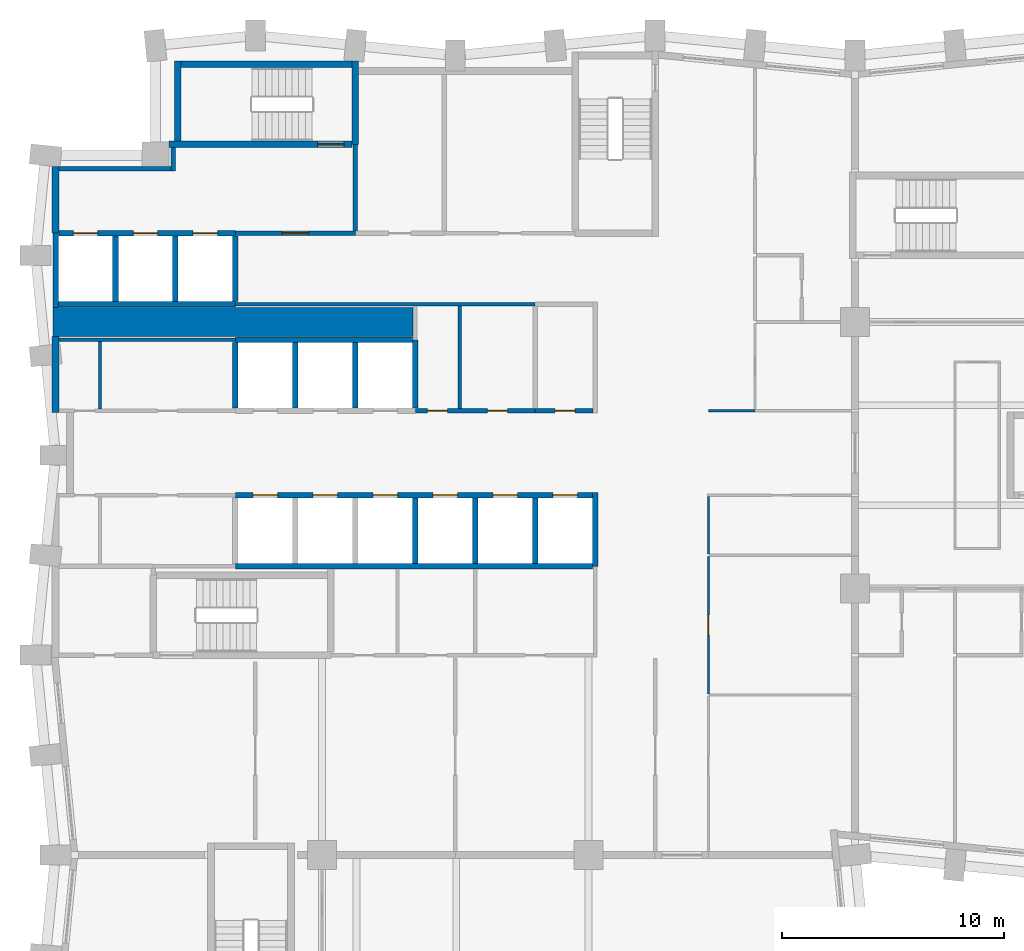
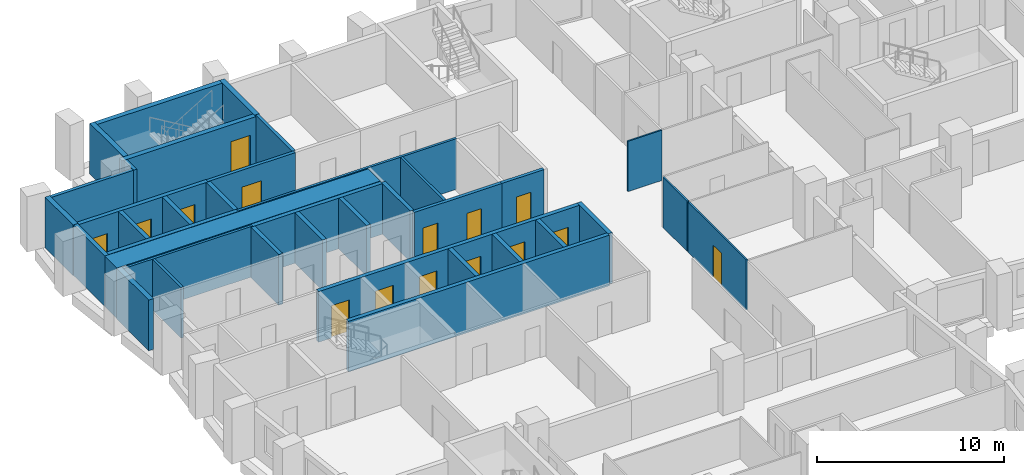
# One storey, part 6 of 12: 37 walls, 15 doors, 15 openings.
"""IFC4 building model written with IfcOpenShell, lengths in metres."""

from ifc_helpers import new_model, si_unit, direction, frame, frame_2d, origin, place, context, subcontext, project, spatial, rectangle, extrude, material, layer, layer_set, type_object, element, fill, save


model = new_model("IFC4")

# Units and contexts
model_context = context("Model", 3, precision=1e-05, world=origin(), true_north=direction((0.0, 1.0)))
body_context = subcontext(model_context, "Body", "Model", "MODEL_VIEW")
ifc_project = project(units=[si_unit("LENGTHUNIT", "METRE"), si_unit("AREAUNIT", "SQUARE_METRE"), si_unit("VOLUMEUNIT", "CUBIC_METRE"), si_unit("PLANEANGLEUNIT", "RADIAN"), si_unit("MASSUNIT", "GRAM", prefix="KILO")], contexts=[model_context])

# Site, building, storey
site_placement = place(None, origin())
site = spatial("IfcSite", under=ifc_project, at=site_placement, CompositionType="ELEMENT")
building_placement = place(site_placement, origin())
building = spatial("IfcBuilding", under=site, at=building_placement, Name="Brondeck Convention Tower", CompositionType="ELEMENT")
storey_placement = place(building_placement, frame((0.0, 0.0, 55.5)))
storey = spatial("IfcBuildingStorey", under=building, at=storey_placement, Name="L11", CompositionType="ELEMENT", Elevation=55.5)

# Walls
ifc_material_1 = material(Name="Concrete C80/95", Category="concrete")
ifc_layer_1 = layer(ifc_material_1, 0.300048828125)
ifc_layer_set_1 = layer_set([ifc_layer_1], Name="Core outer wall 300 Concrete C80/95")
wall_type_1 = type_object("IfcWallType", Name="Core outer wall 300 Concrete C80/95", PredefinedType="SHEAR", material=ifc_layer_set_1)
wall_1_placement = place(storey_placement, frame((0.0, 46.925048828125, 0.0), z_axis=(0.0, 0.0, 1.0), x_axis=(0.0, 1.0, 0.0)))
element("IfcWall", 1, at=wall_1_placement, inside=storey, type_object=wall_type_1, Name="L11 core wall", PredefinedType="SHEAR", context=body_context, shape_type="SweptSolid", body=[
    extrude(rectangle(XDim=3.425048828125, YDim=0.300048828125, at=frame_2d((1.71240234375, 0.0))), origin(), (0.0, 0.0, 1.0), 3.300048828125),
])
wall_2_placement = place(storey_placement, frame((0.0, 55.0, 0.0), z_axis=(0.0, 0.0, 1.0), x_axis=(0.0, 1.0, 0.0)))
element("IfcWall", 2, at=wall_2_placement, inside=storey, type_object=wall_type_1, Name="L11 core wall", PredefinedType="SHEAR", context=body_context, shape_type="SweptSolid", body=[
    extrude(rectangle(XDim=3.0, YDim=0.300048828125, at=frame_2d((1.5, 0.0))), origin(), (0.0, 0.0, 1.0), 3.300048828125),
])
ifc_material_2 = material(Name="Fire-rated gypsum board partition")
ifc_layer_2 = layer(ifc_material_2, 0.14990234375)
ifc_layer_set_2 = layer_set([ifc_layer_2], Name="Core partition 150 EI 60")
wall_type_2 = type_object("IfcWallType", Name="Core partition 150 EI 60", PredefinedType="PARTITIONING", material=ifc_layer_set_2)
wall_3_placement = place(storey_placement, frame((0.14990234375, 50.199951171875, 0.0), z_axis=(0.0, 0.0, 1.0), x_axis=(1.0, 0.0, 0.0)))
element("IfcWall", 3, at=wall_3_placement, inside=storey, type_object=wall_type_2, Name="L11 core wall", PredefinedType="PARTITIONING", context=body_context, shape_type="SweptSolid", body=[
    extrude(rectangle(XDim=7.9501953125, YDim=0.14990234375, at=frame_2d((3.97509765625, 0.0))), origin(), (0.0, 0.0, 1.0), 3.300048828125),
])
wall_4_placement = place(storey_placement, frame((8.10009765625, 51.800048828125, 0.0), z_axis=(0.0, 0.0, 1.0), x_axis=(1.0, 0.0, 0.0)))
element("IfcWall", 4, at=wall_4_placement, inside=storey, type_object=wall_type_2, Name="L11 core wall", PredefinedType="PARTITIONING", context=body_context, shape_type="SweptSolid", body=[
    extrude(rectangle(XDim=13.5, YDim=0.14990234375, at=frame_2d((6.75, 0.0))), origin(), (0.0, 0.0, 1.0), 3.300048828125),
])
wall_5_placement = place(storey_placement, frame((2.0, 47.074951171875, 0.0), z_axis=(0.0, 0.0, 1.0), x_axis=(0.0, 1.0, 0.0)))
element("IfcWall", 5, at=wall_5_placement, inside=storey, type_object=wall_type_2, Name="L11 core wall", PredefinedType="PARTITIONING", context=body_context, shape_type="SweptSolid", body=[
    extrude(rectangle(XDim=3.050048828125, YDim=0.14990234375, at=frame_2d((1.52490234375, 0.0))), origin(), (0.0, 0.0, 1.0), 3.300048828125),
])
wall_6_placement = place(storey_placement, frame((18.199951171875, 47.10009765625, 0.0), z_axis=(0.0, 0.0, 1.0), x_axis=(0.0, 1.0, 0.0)))
element("IfcWall", 6, at=wall_6_placement, inside=storey, type_object=wall_type_2, Name="L11 core wall", PredefinedType="PARTITIONING", context=body_context, shape_type="SweptSolid", body=[
    extrude(rectangle(XDim=4.625, YDim=0.14990234375, at=frame_2d((2.3125, 0.0))), origin(), (0.0, 0.0, 1.0), 3.300048828125),
])
ifc_layer_3 = layer(ifc_material_1, 1.300048828125)
ifc_layer_set_3 = layer_set([ifc_layer_3], Name="Core shear wall 1300 Concrete C80/95")
wall_type_3 = type_object("IfcWallType", Name="Core shear wall 1300 Concrete C80/95", PredefinedType="SHEAR", material=ifc_layer_set_3)
wall_7_placement = place(storey_placement, frame((-0.125, 51.0, 0.0), z_axis=(0.0, 0.0, 1.0), x_axis=(1.0, 0.0, 0.0)))
element("IfcWall", 7, at=wall_7_placement, inside=storey, type_object=wall_type_3, Name="L11 core wall", PredefinedType="SHEAR", context=body_context, shape_type="SweptSolid", body=[
    extrude(rectangle(XDim=16.22509765625, YDim=1.300048828125, at=frame_2d((8.112548828125, 0.0))), origin(), (0.0, 0.0, 1.0), 3.300048828125),
])

# Wall, opening, door
ifc_layer_4 = layer(ifc_material_2, 0.199951171875)
ifc_layer_set_4 = layer_set([ifc_layer_4], Name="Firefighting lobby wall 200 EI 120")
wall_type_4 = type_object("IfcWallType", Name="Firefighting lobby wall 200 EI 120", PredefinedType="PARTITIONING", material=ifc_layer_set_4)
wall_8_placement = place(storey_placement, frame((8.10009765625, 55.0, 0.0), z_axis=(0.0, 0.0, 1.0), x_axis=(1.0, 0.0, 0.0)))
wall_8 = element("IfcWall", 8, at=wall_8_placement, inside=storey, type_object=wall_type_4, Name="L11 core wall", PredefinedType="PARTITIONING", context=body_context, shape_type="SweptSolid", body=[
    extrude(rectangle(XDim=5.39990234375, YDim=0.199951171875, at=frame_2d((2.699951171875, 0.0))), origin(), (0.0, 0.0, 1.0), 3.300048828125),
])
opening_1_placement = place(wall_8_placement, frame((2.10009765625, 0.0, 0.0)))
opening_1 = element("IfcOpeningElement", 9, at=opening_1_placement, cuts=wall_8, Name="Opening C09-01", PredefinedType="OPENING", context=body_context, shape_type="SweptSolid", body=[
    extrude(rectangle(XDim=1.199951171875, YDim=2.199951171875, at=frame_2d((0.60009765625, 1.10009765625))), frame((0.0, 0.10986328125, 0.0), z_axis=(0.0, -1.0, 0.0), x_axis=(1.0, 0.0, 0.0)), (0.0, 0.0, 1.0), 0.219970703125),
])
ifc_material_3 = material(Name="Steel fire door", Category="steel")
door_type_1 = type_object("IfcDoorType", Name="Firefighting lobby door 1200x2200 EI 120", OperationType="NOTDEFINED", PredefinedType="DOOR", material=ifc_material_3)
door_1_placement = place(opening_1_placement, origin())
door_1 = element("IfcDoor", 10, at=door_1_placement, inside=storey, type_object=door_type_1, Name="L11 Firefighting lobby door FFL-1", OperationType="SINGLE_SWING_RIGHT", OverallHeight=2.199951171875, OverallWidth=1.199951171875, PredefinedType="DOOR", context=body_context, shape_type="SweptSolid", body=[
    extrude(rectangle(XDim=1.199951171875, YDim=2.199951171875, at=frame_2d((0.60009765625, 1.10009765625))), frame((0.0, 0.02490234375, 0.0), z_axis=(0.0, -1.0, 0.0), x_axis=(1.0, 0.0, 0.0)), (0.0, 0.0, 1.0), 0.050048828125),
])
fill(opening_1, door_1)

# Walls
wall_9_placement = place(storey_placement, frame((0.14990234375, 57.89990234375, 0.0), z_axis=(0.0, 0.0, 1.0), x_axis=(1.0, 0.0, 0.0)))
element("IfcWall", 11, at=wall_9_placement, inside=storey, type_object=wall_type_4, Name="L11 core wall", PredefinedType="PARTITIONING", context=body_context, shape_type="SweptSolid", body=[
    extrude(rectangle(XDim=5.050048828125, YDim=0.199951171875, at=frame_2d((2.52490234375, 0.0))), origin(), (0.0, 0.0, 1.0), 3.300048828125),
])
wall_10_placement = place(storey_placement, frame((5.300048828125, 57.800048828125, 0.0), z_axis=(0.0, 0.0, 1.0), x_axis=(0.0, 1.0, 0.0)))
element("IfcWall", 12, at=wall_10_placement, inside=storey, type_object=wall_type_4, Name="L11 core wall", PredefinedType="PARTITIONING", context=body_context, shape_type="SweptSolid", body=[
    extrude(rectangle(XDim=1.050048828125, YDim=0.199951171875, at=frame_2d((0.52490234375, 0.0))), origin(), (0.0, 0.0, 1.0), 3.300048828125),
])
wall_11_placement = place(storey_placement, frame((13.5, 55.10009765625, 0.0), z_axis=(0.0, 0.0, 1.0), x_axis=(0.0, 1.0, 0.0)))
element("IfcWall", 13, at=wall_11_placement, inside=storey, type_object=wall_type_4, Name="L11 core wall", PredefinedType="PARTITIONING", context=body_context, shape_type="SweptSolid", body=[
    extrude(rectangle(XDim=3.89990234375, YDim=0.199951171875, at=frame_2d((1.949951171875, 0.0))), origin(), (0.0, 0.0, 1.0), 3.300048828125),
])

# Wall, openings, doors
ifc_layer_5 = layer(ifc_material_2, 0.199951171875)
ifc_layer_set_5 = layer_set([ifc_layer_5], Name="Lift lobby wall 200 EI 60")
wall_type_5 = type_object("IfcWallType", Name="Lift lobby wall 200 EI 60", PredefinedType="PARTITIONING", material=ifc_layer_set_5)
wall_12_placement = place(storey_placement, frame((16.199951171875, 47.0, 0.0), z_axis=(0.0, 0.0, 1.0), x_axis=(1.0, 0.0, 0.0)))
wall_12 = element("IfcWall", 14, at=wall_12_placement, inside=storey, type_object=wall_type_5, Name="L11 core wall", PredefinedType="PARTITIONING", context=body_context, shape_type="SweptSolid", body=[
    extrude(rectangle(XDim=5.400146484375, YDim=0.199951171875, at=frame_2d((2.7001953125, 0.0))), origin(), (0.0, 0.0, 1.0), 3.300048828125),
])
opening_2_placement = place(wall_12_placement, frame((0.550048828125, 0.0, 0.0)))
opening_2 = element("IfcOpeningElement", 15, at=opening_2_placement, cuts=wall_12, Name="Opening C09-09", PredefinedType="OPENING", context=body_context, shape_type="SweptSolid", body=[
    extrude(rectangle(XDim=0.89990234375, YDim=2.10009765625, at=frame_2d((0.449951171875, 1.050048828125))), frame((0.0, 0.10986328125, 0.0), z_axis=(0.0, -1.0, 0.0), x_axis=(1.0, 0.0, 0.0)), (0.0, 0.0, 1.0), 0.219970703125),
])
opening_3_placement = place(wall_12_placement, frame((3.25, 0.0, 0.0)))
opening_3 = element("IfcOpeningElement", 16, at=opening_3_placement, cuts=wall_12, Name="Opening C09-10", PredefinedType="OPENING", context=body_context, shape_type="SweptSolid", body=[
    extrude(rectangle(XDim=0.89990234375, YDim=2.10009765625, at=frame_2d((0.449951171875, 1.050048828125))), frame((0.0, 0.10986328125, 0.0), z_axis=(0.0, -1.0, 0.0), x_axis=(1.0, 0.0, 0.0)), (0.0, 0.0, 1.0), 0.219970703125),
])
door_type_2 = type_object("IfcDoorType", Name="Room door 900x2100 EI 60", OperationType="NOTDEFINED", PredefinedType="DOOR", material=ifc_material_3)
door_2_placement = place(opening_2_placement, origin())
door_2 = element("IfcDoor", 17, at=door_2_placement, inside=storey, type_object=door_type_2, Name="L11 Room door FZ-N-16.2-1", OperationType="SINGLE_SWING_LEFT", OverallHeight=2.10009765625, OverallWidth=0.89990234375, PredefinedType="DOOR", context=body_context, shape_type="SweptSolid", body=[
    extrude(rectangle(XDim=0.89990234375, YDim=2.10009765625, at=frame_2d((0.449951171875, 1.050048828125))), frame((0.0, 0.02490234375, 0.0), z_axis=(0.0, -1.0, 0.0), x_axis=(1.0, 0.0, 0.0)), (0.0, 0.0, 1.0), 0.050048828125),
])
fill(opening_2, door_2)
door_3_placement = place(opening_3_placement, origin())
door_3 = element("IfcDoor", 18, at=door_3_placement, inside=storey, type_object=door_type_2, Name="L11 Room door FZ-N-16.2-2", OperationType="SINGLE_SWING_RIGHT", OverallHeight=2.10009765625, OverallWidth=0.89990234375, PredefinedType="DOOR", context=body_context, shape_type="SweptSolid", body=[
    extrude(rectangle(XDim=0.89990234375, YDim=2.10009765625, at=frame_2d((0.449951171875, 1.050048828125))), frame((0.0, 0.02490234375, 0.0), z_axis=(0.0, -1.0, 0.0), x_axis=(1.0, 0.0, 0.0)), (0.0, 0.0, 1.0), 0.050048828125),
])
fill(opening_3, door_3)

# Wall
ifc_layer_6 = layer(ifc_material_1, 0.25)
ifc_layer_set_6 = layer_set([ifc_layer_6], Name="Lift shaft wall 250 Concrete C80/95")
wall_type_6 = type_object("IfcWallType", Name="Lift shaft wall 250 Concrete C80/95", PredefinedType="SHEAR", material=ifc_layer_set_6)
wall_13_placement = place(storey_placement, frame((8.10009765625, 40.0, 0.0), z_axis=(0.0, 0.0, 1.0), x_axis=(1.0, 0.0, 0.0)))
element("IfcWall", 19, at=wall_13_placement, inside=storey, type_object=wall_type_6, Name="L11 core wall", PredefinedType="SHEAR", context=body_context, shape_type="SweptSolid", body=[
    extrude(rectangle(XDim=16.074951171875, YDim=0.25, at=frame_2d((8.03759765625, 0.0))), origin(), (0.0, 0.0, 1.0), 3.300048828125),
])

# Wall, openings, doors
wall_14_placement = place(storey_placement, frame((8.10009765625, 43.199951171875, 0.0), z_axis=(0.0, 0.0, 1.0), x_axis=(1.0, 0.0, 0.0)))
wall_14 = element("IfcWall", 20, at=wall_14_placement, inside=storey, type_object=wall_type_6, Name="L11 core wall", PredefinedType="SHEAR", context=body_context, shape_type="SweptSolid", body=[
    extrude(rectangle(XDim=16.074951171875, YDim=0.25, at=frame_2d((8.03759765625, 0.0))), origin(), (0.0, 0.0, 1.0), 3.300048828125),
])
opening_4_placement = place(wall_14_placement, frame((14.300048828125, 0.0, 0.0)))
opening_4 = element("IfcOpeningElement", 21, at=opening_4_placement, cuts=wall_14, Name="Opening C09-25", PredefinedType="OPENING", context=body_context, shape_type="SweptSolid", body=[
    extrude(rectangle(XDim=1.10009765625, YDim=2.10009765625, at=frame_2d((0.550048828125, 1.050048828125))), frame((0.0, 0.135009765625, 0.0), z_axis=(0.0, -1.0, 0.0), x_axis=(1.0, 0.0, 0.0)), (0.0, 0.0, 1.0), 0.27001953125),
])
opening_5_placement = place(wall_14_placement, frame((0.800048828125, 0.0, 0.0)))
opening_5 = element("IfcOpeningElement", 22, at=opening_5_placement, cuts=wall_14, Name="Opening C09-26", PredefinedType="OPENING", context=body_context, shape_type="SweptSolid", body=[
    extrude(rectangle(XDim=1.10009765625, YDim=2.10009765625, at=frame_2d((0.550048828125, 1.050048828125))), frame((0.0, 0.135009765625, 0.0), z_axis=(0.0, -1.0, 0.0), x_axis=(1.0, 0.0, 0.0)), (0.0, 0.0, 1.0), 0.27001953125),
])
opening_6_placement = place(wall_14_placement, frame((3.5, 0.0, 0.0)))
opening_6 = element("IfcOpeningElement", 23, at=opening_6_placement, cuts=wall_14, Name="Opening C09-27", PredefinedType="OPENING", context=body_context, shape_type="SweptSolid", body=[
    extrude(rectangle(XDim=1.10009765625, YDim=2.10009765625, at=frame_2d((0.550048828125, 1.050048828125))), frame((0.0, 0.135009765625, 0.0), z_axis=(0.0, -1.0, 0.0), x_axis=(1.0, 0.0, 0.0)), (0.0, 0.0, 1.0), 0.27001953125),
])
opening_7_placement = place(wall_14_placement, frame((6.199951171875, 0.0, 0.0)))
opening_7 = element("IfcOpeningElement", 24, at=opening_7_placement, cuts=wall_14, Name="Opening C09-28", PredefinedType="OPENING", context=body_context, shape_type="SweptSolid", body=[
    extrude(rectangle(XDim=1.10009765625, YDim=2.10009765625, at=frame_2d((0.550048828125, 1.050048828125))), frame((0.0, 0.135009765625, 0.0), z_axis=(0.0, -1.0, 0.0), x_axis=(1.0, 0.0, 0.0)), (0.0, 0.0, 1.0), 0.27001953125),
])
opening_8_placement = place(wall_14_placement, frame((8.89990234375, 0.0, 0.0)))
opening_8 = element("IfcOpeningElement", 25, at=opening_8_placement, cuts=wall_14, Name="Opening C09-32", PredefinedType="OPENING", context=body_context, shape_type="SweptSolid", body=[
    extrude(rectangle(XDim=1.10009765625, YDim=2.10009765625, at=frame_2d((0.550048828125, 1.050048828125))), frame((0.0, 0.135009765625, 0.0), z_axis=(0.0, -1.0, 0.0), x_axis=(1.0, 0.0, 0.0)), (0.0, 0.0, 1.0), 0.27001953125),
])
opening_9_placement = place(wall_14_placement, frame((11.60009765625, 0.0, 0.0)))
opening_9 = element("IfcOpeningElement", 26, at=opening_9_placement, cuts=wall_14, Name="Opening C09-33", PredefinedType="OPENING", context=body_context, shape_type="SweptSolid", body=[
    extrude(rectangle(XDim=1.10009765625, YDim=2.10009765625, at=frame_2d((0.550048828125, 1.050048828125))), frame((0.0, 0.135009765625, 0.0), z_axis=(0.0, -1.0, 0.0), x_axis=(1.0, 0.0, 0.0)), (0.0, 0.0, 1.0), 0.27001953125),
])
ifc_material_4 = material(Name="Stainless steel lift door", Category="steel")
door_type_3 = type_object("IfcDoorType", Name="Lift landing door 1100x2100 EI 180", OperationType="DOUBLE_DOOR_SLIDING", PredefinedType="DOOR", material=ifc_material_4)
door_4_placement = place(opening_4_placement, origin())
door_4 = element("IfcDoor", 27, at=door_4_placement, inside=storey, type_object=door_type_3, Name="L11 Lift landing door HS1", OperationType="DOUBLE_DOOR_SLIDING", OverallHeight=2.10009765625, OverallWidth=1.10009765625, PredefinedType="DOOR", context=body_context, shape_type="SweptSolid", body=[
    extrude(rectangle(XDim=1.10009765625, YDim=2.10009765625, at=frame_2d((0.550048828125, 1.050048828125))), frame((0.0, 0.02490234375, 0.0), z_axis=(0.0, -1.0, 0.0), x_axis=(1.0, 0.0, 0.0)), (0.0, 0.0, 1.0), 0.050048828125),
])
fill(opening_4, door_4)
door_5_placement = place(opening_5_placement, origin())
door_5 = element("IfcDoor", 28, at=door_5_placement, inside=storey, type_object=door_type_3, Name="L11 Lift landing door LR1", OperationType="DOUBLE_DOOR_SLIDING", OverallHeight=2.10009765625, OverallWidth=1.10009765625, PredefinedType="DOOR", context=body_context, shape_type="SweptSolid", body=[
    extrude(rectangle(XDim=1.10009765625, YDim=2.10009765625, at=frame_2d((0.550048828125, 1.050048828125))), frame((0.0, 0.02490234375, 0.0), z_axis=(0.0, -1.0, 0.0), x_axis=(1.0, 0.0, 0.0)), (0.0, 0.0, 1.0), 0.050048828125),
])
fill(opening_5, door_5)
door_6_placement = place(opening_6_placement, origin())
door_6 = element("IfcDoor", 29, at=door_6_placement, inside=storey, type_object=door_type_3, Name="L11 Lift landing door LR2", OperationType="DOUBLE_DOOR_SLIDING", OverallHeight=2.10009765625, OverallWidth=1.10009765625, PredefinedType="DOOR", context=body_context, shape_type="SweptSolid", body=[
    extrude(rectangle(XDim=1.10009765625, YDim=2.10009765625, at=frame_2d((0.550048828125, 1.050048828125))), frame((0.0, 0.02490234375, 0.0), z_axis=(0.0, -1.0, 0.0), x_axis=(1.0, 0.0, 0.0)), (0.0, 0.0, 1.0), 0.050048828125),
])
fill(opening_6, door_6)
door_7_placement = place(opening_7_placement, origin())
door_7 = element("IfcDoor", 30, at=door_7_placement, inside=storey, type_object=door_type_3, Name="L11 Lift landing door LR3", OperationType="DOUBLE_DOOR_SLIDING", OverallHeight=2.10009765625, OverallWidth=1.10009765625, PredefinedType="DOOR", context=body_context, shape_type="SweptSolid", body=[
    extrude(rectangle(XDim=1.10009765625, YDim=2.10009765625, at=frame_2d((0.550048828125, 1.050048828125))), frame((0.0, 0.02490234375, 0.0), z_axis=(0.0, -1.0, 0.0), x_axis=(1.0, 0.0, 0.0)), (0.0, 0.0, 1.0), 0.050048828125),
])
fill(opening_7, door_7)
door_8_placement = place(opening_8_placement, origin())
door_8 = element("IfcDoor", 31, at=door_8_placement, inside=storey, type_object=door_type_3, Name="L11 Lift landing door SH1", OperationType="DOUBLE_DOOR_SLIDING", OverallHeight=2.10009765625, OverallWidth=1.10009765625, PredefinedType="DOOR", context=body_context, shape_type="SweptSolid", body=[
    extrude(rectangle(XDim=1.10009765625, YDim=2.10009765625, at=frame_2d((0.550048828125, 1.050048828125))), frame((0.0, 0.02490234375, 0.0), z_axis=(0.0, -1.0, 0.0), x_axis=(1.0, 0.0, 0.0)), (0.0, 0.0, 1.0), 0.050048828125),
])
fill(opening_8, door_8)
door_9_placement = place(opening_9_placement, origin())
door_9 = element("IfcDoor", 32, at=door_9_placement, inside=storey, type_object=door_type_3, Name="L11 Lift landing door SH2", OperationType="DOUBLE_DOOR_SLIDING", OverallHeight=2.10009765625, OverallWidth=1.10009765625, PredefinedType="DOOR", context=body_context, shape_type="SweptSolid", body=[
    extrude(rectangle(XDim=1.10009765625, YDim=2.10009765625, at=frame_2d((0.550048828125, 1.050048828125))), frame((0.0, 0.02490234375, 0.0), z_axis=(0.0, -1.0, 0.0), x_axis=(1.0, 0.0, 0.0)), (0.0, 0.0, 1.0), 0.050048828125),
])
fill(opening_9, door_9)

# Walls
wall_15_placement = place(storey_placement, frame((8.10009765625, 50.199951171875, 0.0), z_axis=(0.0, 0.0, 1.0), x_axis=(1.0, 0.0, 0.0)))
element("IfcWall", 33, at=wall_15_placement, inside=storey, type_object=wall_type_6, Name="L11 core wall", PredefinedType="SHEAR", context=body_context, shape_type="SweptSolid", body=[
    extrude(rectangle(XDim=7.974853515625, YDim=0.25, at=frame_2d((3.9873046875, 0.0))), origin(), (0.0, 0.0, 1.0), 3.300048828125),
])
wall_16_placement = place(storey_placement, frame((0.125, 51.800048828125, 0.0), z_axis=(0.0, 0.0, 1.0), x_axis=(1.0, 0.0, 0.0)))
element("IfcWall", 34, at=wall_16_placement, inside=storey, type_object=wall_type_6, Name="L11 core wall", PredefinedType="SHEAR", context=body_context, shape_type="SweptSolid", body=[
    extrude(rectangle(XDim=7.97509765625, YDim=0.25, at=frame_2d((3.987548828125, 0.0))), origin(), (0.0, 0.0, 1.0), 3.300048828125),
])

# Wall, openings, doors
wall_17_placement = place(storey_placement, frame((0.14990234375, 55.0, 0.0), z_axis=(0.0, 0.0, 1.0), x_axis=(1.0, 0.0, 0.0)))
wall_17 = element("IfcWall", 35, at=wall_17_placement, inside=storey, type_object=wall_type_6, Name="L11 core wall", PredefinedType="SHEAR", context=body_context, shape_type="SweptSolid", body=[
    extrude(rectangle(XDim=7.9501953125, YDim=0.25, at=frame_2d((3.97509765625, 0.0))), origin(), (0.0, 0.0, 1.0), 3.300048828125),
])
opening_10_placement = place(wall_17_placement, frame((0.64990234375, 0.0, 0.0)))
opening_10 = element("IfcOpeningElement", 36, at=opening_10_placement, cuts=wall_17, Name="Opening C09-22", PredefinedType="OPENING", context=body_context, shape_type="SweptSolid", body=[
    extrude(rectangle(XDim=1.10009765625, YDim=2.10009765625, at=frame_2d((0.550048828125, 1.050048828125))), frame((0.0, 0.135009765625, 0.0), z_axis=(0.0, -1.0, 0.0), x_axis=(1.0, 0.0, 0.0)), (0.0, 0.0, 1.0), 0.27001953125),
])
opening_11_placement = place(wall_17_placement, frame((3.35009765625, 0.0, 0.0)))
opening_11 = element("IfcOpeningElement", 37, at=opening_11_placement, cuts=wall_17, Name="Opening C09-23", PredefinedType="OPENING", context=body_context, shape_type="SweptSolid", body=[
    extrude(rectangle(XDim=1.10009765625, YDim=2.10009765625, at=frame_2d((0.550048828125, 1.050048828125))), frame((0.0, 0.135009765625, 0.0), z_axis=(0.0, -1.0, 0.0), x_axis=(1.0, 0.0, 0.0)), (0.0, 0.0, 1.0), 0.27001953125),
])
opening_12_placement = place(wall_17_placement, frame((6.050048828125, 0.0, 0.0)))
opening_12 = element("IfcOpeningElement", 38, at=opening_12_placement, cuts=wall_17, Name="Opening C09-24", PredefinedType="OPENING", context=body_context, shape_type="SweptSolid", body=[
    extrude(rectangle(XDim=1.10009765625, YDim=2.10009765625, at=frame_2d((0.550048828125, 1.050048828125))), frame((0.0, 0.135009765625, 0.0), z_axis=(0.0, -1.0, 0.0), x_axis=(1.0, 0.0, 0.0)), (0.0, 0.0, 1.0), 0.27001953125),
])
door_10_placement = place(opening_10_placement, origin())
door_10 = element("IfcDoor", 39, at=door_10_placement, inside=storey, type_object=door_type_3, Name="L11 Lift landing door FF1", OperationType="DOUBLE_DOOR_SLIDING", OverallHeight=2.10009765625, OverallWidth=1.10009765625, PredefinedType="DOOR", context=body_context, shape_type="SweptSolid", body=[
    extrude(rectangle(XDim=1.10009765625, YDim=2.10009765625, at=frame_2d((0.550048828125, 1.050048828125))), frame((0.0, 0.02490234375, 0.0), z_axis=(0.0, -1.0, 0.0), x_axis=(1.0, 0.0, 0.0)), (0.0, 0.0, 1.0), 0.050048828125),
])
fill(opening_10, door_10)
door_11_placement = place(opening_11_placement, origin())
door_11 = element("IfcDoor", 40, at=door_11_placement, inside=storey, type_object=door_type_3, Name="L11 Lift landing door FF2", OperationType="DOUBLE_DOOR_SLIDING", OverallHeight=2.10009765625, OverallWidth=1.10009765625, PredefinedType="DOOR", context=body_context, shape_type="SweptSolid", body=[
    extrude(rectangle(XDim=1.10009765625, YDim=2.10009765625, at=frame_2d((0.550048828125, 1.050048828125))), frame((0.0, 0.02490234375, 0.0), z_axis=(0.0, -1.0, 0.0), x_axis=(1.0, 0.0, 0.0)), (0.0, 0.0, 1.0), 0.050048828125),
])
fill(opening_11, door_11)
door_12_placement = place(opening_12_placement, origin())
door_12 = element("IfcDoor", 41, at=door_12_placement, inside=storey, type_object=door_type_3, Name="L11 Lift landing door FF3", OperationType="DOUBLE_DOOR_SLIDING", OverallHeight=2.10009765625, OverallWidth=1.10009765625, PredefinedType="DOOR", context=body_context, shape_type="SweptSolid", body=[
    extrude(rectangle(XDim=1.10009765625, YDim=2.10009765625, at=frame_2d((0.550048828125, 1.050048828125))), frame((0.0, 0.02490234375, 0.0), z_axis=(0.0, -1.0, 0.0), x_axis=(1.0, 0.0, 0.0)), (0.0, 0.0, 1.0), 0.050048828125),
])
fill(opening_12, door_12)

# Walls
wall_18_placement = place(storey_placement, frame((0.0, 51.64990234375, 0.0), z_axis=(0.0, 0.0, 1.0), x_axis=(0.0, 1.0, 0.0)))
element("IfcWall", 42, at=wall_18_placement, inside=storey, type_object=wall_type_6, Name="L11 core wall", PredefinedType="SHEAR", context=body_context, shape_type="SweptSolid", body=[
    extrude(rectangle(XDim=3.35009765625, YDim=0.25, at=frame_2d((1.675048828125, 0.0))), origin(), (0.0, 0.0, 1.0), 3.300048828125),
])
for number, where, z_axis, x_axis, name in (
    (43, (2.699951171875, 51.925048828125, 0.0), (0.0, 0.0, 1.0), (0.0, 1.0, 0.0), "L11 core wall"),
    (44, (5.39990234375, 51.925048828125, 0.0), (0.0, 0.0, 1.0), (0.0, 1.0, 0.0), "L11 core wall"),
    (45, (8.10009765625, 47.125, 0.0), (0.0, 0.0, 1.0), (0.0, 1.0, 0.0), "L11 core wall"),
    (46, (8.10009765625, 51.925048828125, 0.0), (0.0, 0.0, 1.0), (0.0, 1.0, 0.0), "L11 core wall"),
    (47, (10.800048828125, 47.125, 0.0), (0.0, 0.0, 1.0), (0.0, 1.0, 0.0), "L11 core wall"),
    (48, (13.5, 47.125, 0.0), (0.0, 0.0, 1.0), (0.0, 1.0, 0.0), "L11 core wall"),
    (49, (16.199951171875, 40.125, 0.0), (0.0, 0.0, 1.0), (0.0, 1.0, 0.0), "L11 core wall"),
):
    element("IfcWall", number, at=place(storey_placement, frame(where, z_axis=z_axis, x_axis=x_axis)), inside=storey, type_object=wall_type_6, Name=name, PredefinedType="SHEAR", context=body_context, shape_type="SweptSolid", body=[
        extrude(rectangle(XDim=2.949951171875, YDim=0.25, at=frame_2d((1.47509765625, 0.0))), origin(), (0.0, 0.0, 1.0), 3.300048828125),
    ])
wall_19_placement = place(storey_placement, frame((16.199951171875, 47.125, 0.0), z_axis=(0.0, 0.0, 1.0), x_axis=(0.0, 1.0, 0.0)))
element("IfcWall", 50, at=wall_19_placement, inside=storey, type_object=wall_type_6, Name="L11 core wall", PredefinedType="SHEAR", context=body_context, shape_type="SweptSolid", body=[
    extrude(rectangle(XDim=3.074951171875, YDim=0.25, at=frame_2d((1.53759765625, 0.0))), origin(), (0.0, 0.0, 1.0), 3.300048828125),
])
for number, where, z_axis, x_axis, name in (
    (51, (18.89990234375, 40.125, 0.0), (0.0, 0.0, 1.0), (0.0, 1.0, 0.0), "L11 core wall"),
    (52, (21.60009765625, 40.125, 0.0), (0.0, 0.0, 1.0), (0.0, 1.0, 0.0), "L11 core wall"),
):
    element("IfcWall", number, at=place(storey_placement, frame(where, z_axis=z_axis, x_axis=x_axis)), inside=storey, type_object=wall_type_6, Name=name, PredefinedType="SHEAR", context=body_context, shape_type="SweptSolid", body=[
        extrude(rectangle(XDim=2.949951171875, YDim=0.25, at=frame_2d((1.47509765625, 0.0))), origin(), (0.0, 0.0, 1.0), 3.300048828125),
    ])
wall_20_placement = place(storey_placement, frame((24.300048828125, 40.0, 0.0), z_axis=(0.0, 0.0, 1.0), x_axis=(0.0, 1.0, 0.0)))
element("IfcWall", 53, at=wall_20_placement, inside=storey, type_object=wall_type_6, Name="L11 core wall", PredefinedType="SHEAR", context=body_context, shape_type="SweptSolid", body=[
    extrude(rectangle(XDim=3.324951171875, YDim=0.25, at=frame_2d((1.66259765625, 0.0))), origin(), (0.0, 0.0, 1.0), 3.300048828125),
])

# Wall, opening, door
ifc_layer_7 = layer(ifc_material_2, 0.199951171875)
ifc_layer_set_7 = layer_set([ifc_layer_7], Name="Riser wall 200 EI 120")
wall_type_7 = type_object("IfcWallType", Name="Riser wall 200 EI 120", PredefinedType="PARTITIONING", material=ifc_layer_set_7)
wall_21_placement = place(storey_placement, frame((21.60009765625, 47.0, 0.0), z_axis=(0.0, 0.0, 1.0), x_axis=(1.0, 0.0, 0.0)))
wall_21 = element("IfcWall", 54, at=wall_21_placement, inside=storey, type_object=wall_type_7, Name="L11 core wall", PredefinedType="PARTITIONING", context=body_context, shape_type="SweptSolid", body=[
    extrude(rectangle(XDim=2.599853515625, YDim=0.199951171875, at=frame_2d((1.2998046875, 0.0))), origin(), (0.0, 0.0, 1.0), 3.300048828125),
])
opening_13_placement = place(wall_21_placement, frame((0.89990234375, 0.0, 0.0)))
opening_13 = element("IfcOpeningElement", 55, at=opening_13_placement, cuts=wall_21, Name="Opening C09-02", PredefinedType="OPENING", context=body_context, shape_type="SweptSolid", body=[
    extrude(rectangle(XDim=0.89990234375, YDim=2.10009765625, at=frame_2d((0.449951171875, 1.050048828125))), frame((0.0, 0.10986328125, 0.0), z_axis=(0.0, -1.0, 0.0), x_axis=(1.0, 0.0, 0.0)), (0.0, 0.0, 1.0), 0.219970703125),
])
door_type_4 = type_object("IfcDoorType", Name="Riser door 900x2100 EI 120", OperationType="NOTDEFINED", PredefinedType="DOOR", material=ifc_material_3)
door_13_placement = place(opening_13_placement, origin())
door_13 = element("IfcDoor", 56, at=door_13_placement, inside=storey, type_object=door_type_4, Name="L11 Riser door EN-1", OperationType="SINGLE_SWING_LEFT", OverallHeight=2.10009765625, OverallWidth=0.89990234375, PredefinedType="DOOR", context=body_context, shape_type="SweptSolid", body=[
    extrude(rectangle(XDim=0.89990234375, YDim=2.10009765625, at=frame_2d((0.449951171875, 1.050048828125))), frame((0.0, 0.02490234375, 0.0), z_axis=(0.0, -1.0, 0.0), x_axis=(1.0, 0.0, 0.0)), (0.0, 0.0, 1.0), 0.050048828125),
])
fill(opening_13, door_13)

ifc_material_5 = material(Name="Gypsum board partition on steel studs", Category="steel")
ifc_layer_8 = layer(ifc_material_5, 0.10009765625)
ifc_layer_set_8 = layer_set([ifc_layer_8], Name="Room partition 100")
wall_type_8 = type_object("IfcWallType", Name="Room partition 100", PredefinedType="PARTITIONING", material=ifc_layer_set_8)
wall_22_placement = place(storey_placement, frame((29.39990234375, 40.449951171875, 0.0), z_axis=(0.0, 0.0, 1.0), x_axis=(0.0, -1.0, 0.0)))
wall_22 = element("IfcWall", 57, at=wall_22_placement, inside=storey, type_object=wall_type_8, Name="FLR-L11-W078", PredefinedType="PARTITIONING", context=body_context, shape_type="SweptSolid", body=[
    extrude(rectangle(XDim=6.199951171875, YDim=0.10009765625, at=frame_2d((3.10009765625, 0.0))), origin(), (0.0, 0.0, 1.0), 3.280029296875),
])
opening_14_placement = place(wall_22_placement, frame((2.64990234375, 0.0, 0.0)))
opening_14 = element("IfcOpeningElement", 58, at=opening_14_placement, cuts=wall_22, Name="Opening H2-037", PredefinedType="OPENING", context=body_context, shape_type="SweptSolid", body=[
    extrude(rectangle(XDim=0.89990234375, YDim=2.10009765625, at=frame_2d((0.449951171875, 1.050048828125))), frame((0.0, 0.06005859375, 0.0), z_axis=(0.0, -1.0, 0.0), x_axis=(1.0, 0.0, 0.0)), (0.0, 0.0, 1.0), 0.1201171875),
])
ifc_material_6 = material(Name="Solid timber door leaf", Category="wood")
door_type_5 = type_object("IfcDoorType", Name="Single door 900", OperationType="NOTDEFINED", PredefinedType="DOOR", material=ifc_material_6)
door_14_placement = place(opening_14_placement, origin())
door_14 = element("IfcDoor", 59, at=door_14_placement, inside=storey, type_object=door_type_5, Name="Door H2-037", OperationType="SINGLE_SWING_LEFT", OverallHeight=2.10009765625, OverallWidth=0.89990234375, PredefinedType="DOOR", context=body_context, shape_type="SweptSolid", body=[
    extrude(rectangle(XDim=0.89990234375, YDim=2.10009765625, at=frame_2d((0.449951171875, 1.050048828125))), frame((0.0, 0.02490234375, 0.0), z_axis=(0.0, -1.0, 0.0), x_axis=(1.0, 0.0, 0.0)), (0.0, 0.0, 1.0), 0.050048828125),
])
fill(opening_14, door_14)

# Walls
wall_23_placement = place(storey_placement, frame((29.39990234375, 43.14990234375, 0.0), z_axis=(0.0, 0.0, 1.0), x_axis=(0.0, -1.0, 0.0)))
element("IfcWall", 60, at=wall_23_placement, inside=storey, type_object=wall_type_8, Name="FLR-L11-W085", PredefinedType="PARTITIONING", context=body_context, shape_type="SweptSolid", body=[
    extrude(rectangle(XDim=2.599853515625, YDim=0.10009765625, at=frame_2d((1.2998046875, 0.0))), origin(), (0.0, 0.0, 1.0), 3.280029296875),
])
wall_24_placement = place(storey_placement, frame((29.39990234375, 47.0, 0.0), z_axis=(0.0, 0.0, 1.0), x_axis=(1.0, 0.0, 0.0)))
element("IfcWall", 61, at=wall_24_placement, inside=storey, type_object=wall_type_8, Name="FLR-L11-W091", PredefinedType="PARTITIONING", context=body_context, shape_type="SweptSolid", body=[
    extrude(rectangle(XDim=2.10009765625, YDim=0.10009765625, at=frame_2d((1.050048828125, 0.0))), origin(), (0.0, 0.0, 1.0), 3.280029296875),
])

# Wall, opening, door
ifc_layer_9 = layer(ifc_material_1, 0.300048828125)
ifc_layer_set_9 = layer_set([ifc_layer_9], Name="Stair enclosure wall 300 Concrete C80/95")
wall_type_9 = type_object("IfcWallType", Name="Stair enclosure wall 300 Concrete C80/95", PredefinedType="SHEAR", material=ifc_layer_set_9)
wall_25_placement = place(storey_placement, frame((5.10009765625, 59.0, 0.0), z_axis=(0.0, 0.0, 1.0), x_axis=(1.0, 0.0, 0.0)))
wall_25 = element("IfcWall", 62, at=wall_25_placement, inside=storey, type_object=wall_type_9, Name="L11 core wall", PredefinedType="SHEAR", context=body_context, shape_type="SweptSolid", body=[
    extrude(rectangle(XDim=8.25, YDim=0.300048828125, at=frame_2d((4.125, 0.0))), origin(), (0.0, 0.0, 1.0), 3.300048828125),
])
opening_15_placement = place(wall_25_placement, frame((6.699951171875, 0.0, 0.0)))
opening_15 = element("IfcOpeningElement", 63, at=opening_15_placement, cuts=wall_25, Name="Opening C09-17", PredefinedType="OPENING", context=body_context, shape_type="SweptSolid", body=[
    extrude(rectangle(XDim=1.199951171875, YDim=2.199951171875, at=frame_2d((0.60009765625, 1.10009765625))), frame((0.0, 0.159912109375, 0.0), z_axis=(0.0, -1.0, 0.0), x_axis=(1.0, 0.0, 0.0)), (0.0, 0.0, 1.0), 0.320068359375),
])
door_type_6 = type_object("IfcDoorType", Name="Stair door 1200x2200 EI 120", OperationType="NOTDEFINED", PredefinedType="DOOR", material=ifc_material_3)
door_15_placement = place(opening_15_placement, origin())
door_15 = element("IfcDoor", 64, at=door_15_placement, inside=storey, type_object=door_type_6, Name="L11 Stair door ST-3", OperationType="SINGLE_SWING_RIGHT", OverallHeight=2.199951171875, OverallWidth=1.199951171875, PredefinedType="DOOR", context=body_context, shape_type="SweptSolid", body=[
    extrude(rectangle(XDim=1.199951171875, YDim=2.199951171875, at=frame_2d((0.60009765625, 1.10009765625))), frame((0.0, 0.02490234375, 0.0), z_axis=(0.0, -1.0, 0.0), x_axis=(1.0, 0.0, 0.0)), (0.0, 0.0, 1.0), 0.050048828125),
])
fill(opening_15, door_15)

# Walls
wall_26_placement = place(storey_placement, frame((5.64990234375, 62.60009765625, 0.0), z_axis=(0.0, 0.0, 1.0), x_axis=(1.0, 0.0, 0.0)))
element("IfcWall", 65, at=wall_26_placement, inside=storey, type_object=wall_type_9, Name="L11 core wall", PredefinedType="SHEAR", context=body_context, shape_type="SweptSolid", body=[
    extrude(rectangle(XDim=7.7001953125, YDim=0.300048828125, at=frame_2d((3.85009765625, 0.0))), origin(), (0.0, 0.0, 1.0), 3.300048828125),
])
wall_27_placement = place(storey_placement, frame((5.5, 59.14990234375, 0.0), z_axis=(0.0, 0.0, 1.0), x_axis=(0.0, 1.0, 0.0)))
element("IfcWall", 66, at=wall_27_placement, inside=storey, type_object=wall_type_9, Name="L11 core wall", PredefinedType="SHEAR", context=body_context, shape_type="SweptSolid", body=[
    extrude(rectangle(XDim=3.60009765625, YDim=0.300048828125, at=frame_2d((1.800048828125, 0.0))), origin(), (0.0, 0.0, 1.0), 3.300048828125),
])
wall_28_placement = place(storey_placement, frame((13.5, 59.0, 0.0), z_axis=(0.0, 0.0, 1.0), x_axis=(0.0, 1.0, 0.0)))
element("IfcWall", 67, at=wall_28_placement, inside=storey, type_object=wall_type_9, Name="L11 core wall", PredefinedType="SHEAR", context=body_context, shape_type="SweptSolid", body=[
    extrude(rectangle(XDim=3.75, YDim=0.300048828125, at=frame_2d((1.875, 0.0))), origin(), (0.0, 0.0, 1.0), 3.300048828125),
])

save(model, "model.ifc")
